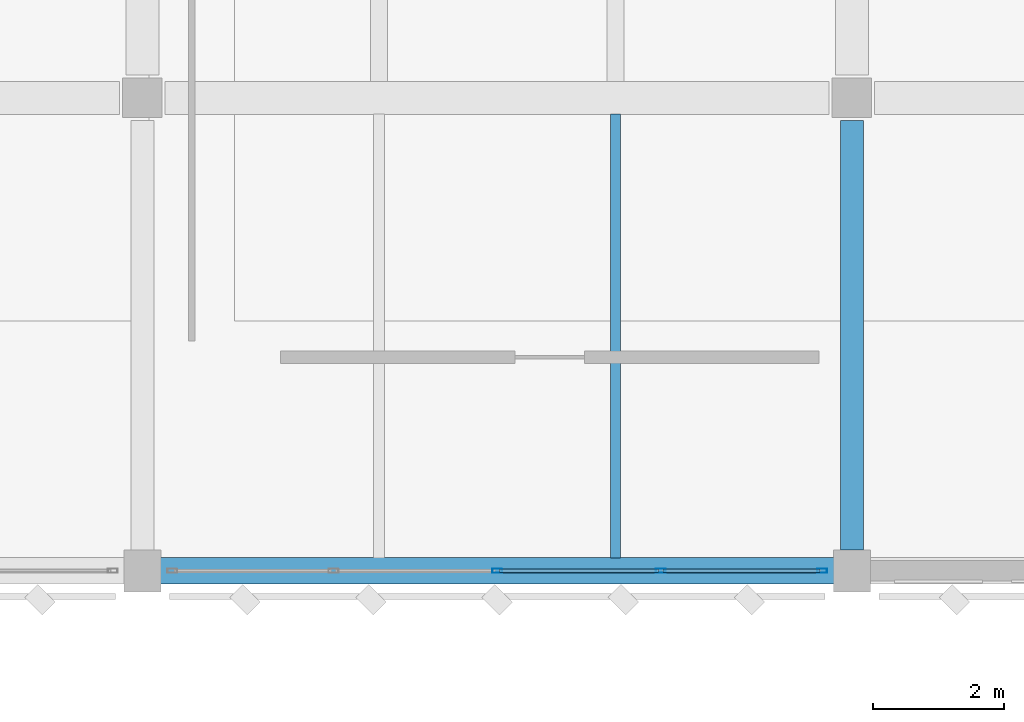
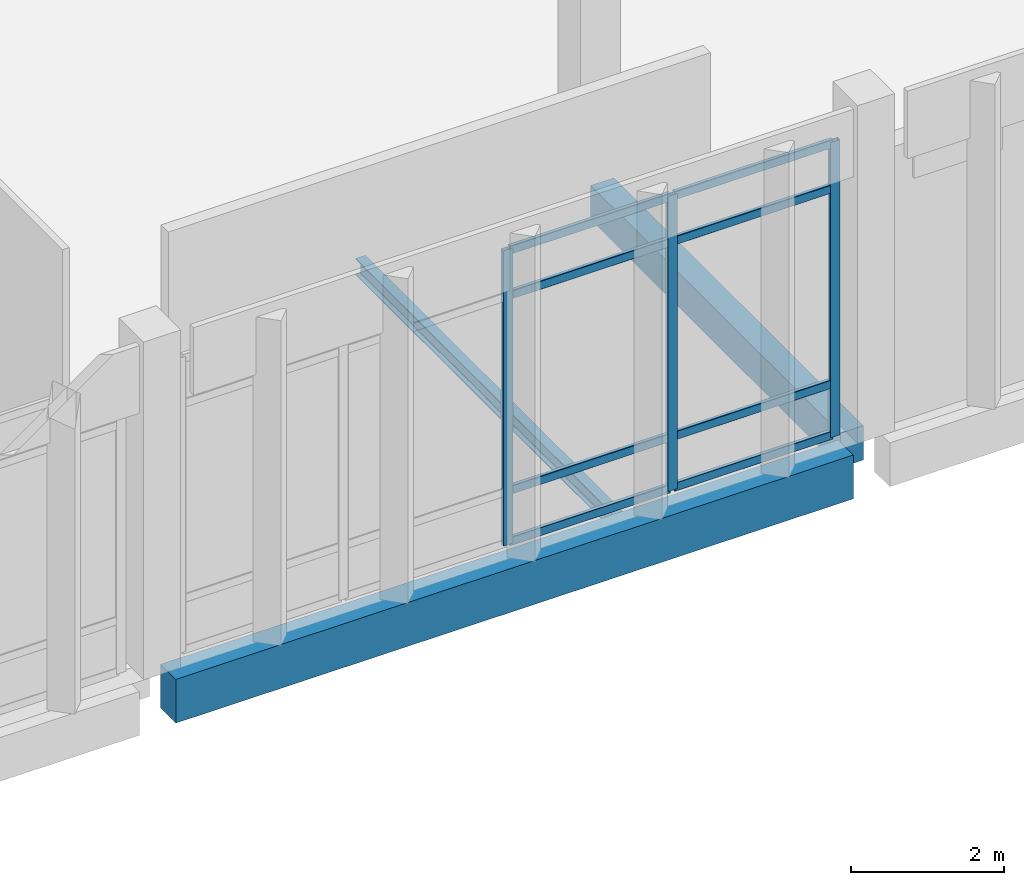
# One storey, part 72 of 180: 11 members, 3 beams, 1 element without a shape of its own.
"""IFC4 building model written with IfcOpenShell, lengths in metres."""

from ifc_helpers import new_model, si_unit, direction, frame, origin, origin_2d, place, context, subcontext, project, spatial, rectangle, hollow_rectangle, i_section, extrude, material, material_profile, profile_set, type_object, element, aggregate, save


model = new_model("IFC4")

# Units and contexts
model_context = context("Model", 3, precision=1e-05, world=origin(), true_north=direction((0.0, 1.0)))
body_context = subcontext(model_context, "Body", "Model", "MODEL_VIEW")
ifc_project = project(units=[si_unit("LENGTHUNIT", "METRE"), si_unit("AREAUNIT", "SQUARE_METRE"), si_unit("VOLUMEUNIT", "CUBIC_METRE"), si_unit("PLANEANGLEUNIT", "RADIAN"), si_unit("MASSUNIT", "GRAM", prefix="KILO")], contexts=[model_context])

# Site, building, storey
site_placement = place(None, origin())
site = spatial("IfcSite", under=ifc_project, at=site_placement, CompositionType="ELEMENT")
building_placement = place(site_placement, origin())
building = spatial("IfcBuilding", under=site, at=building_placement, Name="Lusvemor Sports Hall", CompositionType="ELEMENT")
storey_placement = place(building_placement, frame((0.0, 0.0, 5.39990234375)))
storey = spatial("IfcBuildingStorey", under=building, at=storey_placement, Name="L01", CompositionType="ELEMENT", Elevation=5.39990234375)

# Beam
ifc_material_1 = material(Name="Concrete C40/50", Category="concrete")
ifc_material_profile_1 = material_profile(ifc_material_1, rectangle(XDim=0.35009765625, YDim=0.550048828125, at=origin_2d()), Name="RC350x550")
ifc_profile_set_1 = profile_set([ifc_material_profile_1], Name="Concrete C40/50")
beam_type_1 = type_object("IfcBeamType", Name="BEAM_RC_550", PredefinedType="BEAM", material=ifc_profile_set_1)
beam_1_placement = place(storey_placement, frame((43.199951171875, 97.51611328125, -0.534912109375), z_axis=(0.0, 1.0, 0.0), x_axis=(-1.0, 0.0, 0.0)))
element("IfcBeam", 1, at=beam_1_placement, inside=storey, type_object=beam_type_1, Name="Beam L01 5:N-P", PredefinedType="BEAM", context=body_context, shape_type="SweptSolid", body=[
    extrude(rectangle(XDim=0.35009765625, YDim=0.550048828125, at=origin_2d()), origin(), (0.0, 0.0, 1.0), 6.537841796875),
])

# Curtain wall, members
ifc_material_2 = material(Name="Thermally broken bronze-anodized aluminium", Category="aluminium")
curtain_wall_type = type_object("IfcCurtainWallType", Name="CW_WING_B", PredefinedType="NOTDEFINED", material=ifc_material_2)
curtain_wall_placement = place(storey_placement, origin())
curtain_wall = element("IfcCurtainWall", 2, at=curtain_wall_placement, inside=storey, type_object=curtain_wall_type, Name="Curtain Wall CW-L01-S-3-1", PredefinedType="NOTDEFINED")
ifc_material_3 = material(Name="Thermally broken bronze-anodized aluminium", Category="aluminium")
ifc_material_profile_2 = material_profile(ifc_material_3, hollow_rectangle(XDim=0.06494140625, YDim=0.14990234375, WallThickness=0.00390625, InnerFilletRadius=0.00390625, OuterFilletRadius=0.008056640625, at=origin_2d()), Name="CWMUL150x65x4")
ifc_profile_set_2 = profile_set([ifc_material_profile_2], Name="Thermally broken bronze-anodized aluminium")
member_type_1 = type_object("IfcMemberType", Name="CW_MUL_B", PredefinedType="MULLION", material=ifc_profile_set_2)
member_1_placement = place(storey_placement, frame((42.74755859375, 97.199951171875, 0.0), z_axis=(0.0, 0.0, 1.0), x_axis=(0.0, -1.0, 0.0)))
member_1 = element("IfcMember", 3, at=member_1_placement, type_object=member_type_1, Name="CW02 mullion 1", PredefinedType="MULLION", context=body_context, shape_type="SweptSolid", body=[
    extrude(hollow_rectangle(XDim=0.06494140625, YDim=0.14990234375, WallThickness=0.00390625, InnerFilletRadius=0.00390625, OuterFilletRadius=0.008056640625, at=origin_2d()), origin(), (0.0, 0.0, 1.0), 4.72021484375),
])
member_2_placement = place(storey_placement, frame((40.2900390625, 97.199951171875, 0.0), z_axis=(0.0, 0.0, 1.0), x_axis=(0.0, -1.0, 0.0)))
member_2 = element("IfcMember", 4, at=member_2_placement, type_object=member_type_1, Name="CW02 mullion 2", PredefinedType="MULLION", context=body_context, shape_type="SweptSolid", body=[
    extrude(hollow_rectangle(XDim=0.06494140625, YDim=0.14990234375, WallThickness=0.00390625, InnerFilletRadius=0.00390625, OuterFilletRadius=0.008056640625, at=origin_2d()), origin(), (0.0, 0.0, 1.0), 4.72021484375),
])
member_3_placement = place(storey_placement, frame((37.800048828125, 97.199951171875, 0.0), z_axis=(0.0, 0.0, 1.0), x_axis=(0.0, -1.0, 0.0)))
member_3 = element("IfcMember", 5, at=member_3_placement, type_object=member_type_1, Name="CW02 mullion 3", PredefinedType="MULLION", context=body_context, shape_type="SweptSolid", body=[
    extrude(hollow_rectangle(XDim=0.06494140625, YDim=0.14990234375, WallThickness=0.00390625, InnerFilletRadius=0.00390625, OuterFilletRadius=0.008056640625, at=origin_2d()), origin(), (0.0, 0.0, 1.0), 4.72021484375),
])
ifc_material_4 = material(Name="Thermally broken bronze-anodized aluminium", Category="aluminium")
ifc_material_profile_3 = material_profile(ifc_material_4, hollow_rectangle(XDim=0.06005859375, YDim=0.135009765625, WallThickness=0.00390625, InnerFilletRadius=0.00390625, OuterFilletRadius=0.008056640625, at=origin_2d()), Name="CWTRN135x60x4")
ifc_profile_set_3 = profile_set([ifc_material_profile_3], Name="Thermally broken bronze-anodized aluminium")
member_type_2 = type_object("IfcMemberType", Name="CW_TRN_B", PredefinedType="USERDEFINED", material=ifc_profile_set_3)
member_4_placement = place(storey_placement, frame((42.715087890625, 97.199951171875, 0.030029296875), z_axis=(-1.0, 0.0, 0.0), x_axis=(0.0, -1.0, 0.0)))
member_4 = element("IfcMember", 6, at=member_4_placement, type_object=member_type_2, Name="CW02 transom 1.1", ObjectType="TRANSOM", PredefinedType="USERDEFINED", context=body_context, shape_type="SweptSolid", body=[
    extrude(hollow_rectangle(XDim=0.06005859375, YDim=0.135009765625, WallThickness=0.00390625, InnerFilletRadius=0.00390625, OuterFilletRadius=0.008056640625, at=origin_2d()), origin(), (0.0, 0.0, 1.0), 2.392578125),
])
member_5_placement = place(storey_placement, frame((42.715087890625, 97.199951171875, 0.85009765625), z_axis=(-1.0, 0.0, 0.0), x_axis=(0.0, -1.0, 0.0)))
member_5 = element("IfcMember", 7, at=member_5_placement, type_object=member_type_2, Name="CW02 transom 1.2", ObjectType="TRANSOM", PredefinedType="USERDEFINED", context=body_context, shape_type="SweptSolid", body=[
    extrude(hollow_rectangle(XDim=0.06005859375, YDim=0.135009765625, WallThickness=0.00390625, InnerFilletRadius=0.00390625, OuterFilletRadius=0.008056640625, at=origin_2d()), origin(), (0.0, 0.0, 1.0), 2.392578125),
])
member_6_placement = place(storey_placement, frame((42.715087890625, 97.199951171875, 3.97021484375), z_axis=(-1.0, 0.0, 0.0), x_axis=(0.0, -1.0, 0.0)))
member_6 = element("IfcMember", 8, at=member_6_placement, type_object=member_type_2, Name="CW02 transom 1.3", ObjectType="TRANSOM", PredefinedType="USERDEFINED", context=body_context, shape_type="SweptSolid", body=[
    extrude(hollow_rectangle(XDim=0.06005859375, YDim=0.135009765625, WallThickness=0.00390625, InnerFilletRadius=0.00390625, OuterFilletRadius=0.008056640625, at=origin_2d()), origin(), (0.0, 0.0, 1.0), 2.392578125),
])
member_7_placement = place(storey_placement, frame((42.715087890625, 97.199951171875, 4.690185546875), z_axis=(-1.0, 0.0, 0.0), x_axis=(0.0, -1.0, 0.0)))
member_7 = element("IfcMember", 9, at=member_7_placement, type_object=member_type_2, Name="CW02 transom 1.4", ObjectType="TRANSOM", PredefinedType="USERDEFINED", context=body_context, shape_type="SweptSolid", body=[
    extrude(hollow_rectangle(XDim=0.06005859375, YDim=0.135009765625, WallThickness=0.00390625, InnerFilletRadius=0.00390625, OuterFilletRadius=0.008056640625, at=origin_2d()), origin(), (0.0, 0.0, 1.0), 2.392578125),
])
member_8_placement = place(storey_placement, frame((40.257568359375, 97.199951171875, 0.030029296875), z_axis=(-1.0, 0.0, 0.0), x_axis=(0.0, -1.0, 0.0)))
member_8 = element("IfcMember", 10, at=member_8_placement, type_object=member_type_2, Name="CW02 transom 2.1", ObjectType="TRANSOM", PredefinedType="USERDEFINED", context=body_context, shape_type="SweptSolid", body=[
    extrude(hollow_rectangle(XDim=0.06005859375, YDim=0.135009765625, WallThickness=0.00390625, InnerFilletRadius=0.00390625, OuterFilletRadius=0.008056640625, at=origin_2d()), origin(), (0.0, 0.0, 1.0), 2.425048828125),
])
member_9_placement = place(storey_placement, frame((40.257568359375, 97.199951171875, 0.85009765625), z_axis=(-1.0, 0.0, 0.0), x_axis=(0.0, -1.0, 0.0)))
member_9 = element("IfcMember", 11, at=member_9_placement, type_object=member_type_2, Name="CW02 transom 2.2", ObjectType="TRANSOM", PredefinedType="USERDEFINED", context=body_context, shape_type="SweptSolid", body=[
    extrude(hollow_rectangle(XDim=0.06005859375, YDim=0.135009765625, WallThickness=0.00390625, InnerFilletRadius=0.00390625, OuterFilletRadius=0.008056640625, at=origin_2d()), origin(), (0.0, 0.0, 1.0), 2.425048828125),
])
member_10_placement = place(storey_placement, frame((40.257568359375, 97.199951171875, 3.97021484375), z_axis=(-1.0, 0.0, 0.0), x_axis=(0.0, -1.0, 0.0)))
member_10 = element("IfcMember", 12, at=member_10_placement, type_object=member_type_2, Name="CW02 transom 2.3", ObjectType="TRANSOM", PredefinedType="USERDEFINED", context=body_context, shape_type="SweptSolid", body=[
    extrude(hollow_rectangle(XDim=0.06005859375, YDim=0.135009765625, WallThickness=0.00390625, InnerFilletRadius=0.00390625, OuterFilletRadius=0.008056640625, at=origin_2d()), origin(), (0.0, 0.0, 1.0), 2.425048828125),
])
member_11_placement = place(storey_placement, frame((40.257568359375, 97.199951171875, 4.690185546875), z_axis=(-1.0, 0.0, 0.0), x_axis=(0.0, -1.0, 0.0)))
member_11 = element("IfcMember", 13, at=member_11_placement, type_object=member_type_2, Name="CW02 transom 2.4", ObjectType="TRANSOM", PredefinedType="USERDEFINED", context=body_context, shape_type="SweptSolid", body=[
    extrude(hollow_rectangle(XDim=0.06005859375, YDim=0.135009765625, WallThickness=0.00390625, InnerFilletRadius=0.00390625, OuterFilletRadius=0.008056640625, at=origin_2d()), origin(), (0.0, 0.0, 1.0), 2.425048828125),
])
aggregate(curtain_wall, [member_1, member_2, member_3, member_4, member_5, member_6, member_7, member_8, member_9, member_10, member_11])

# Beams
ifc_material_5 = material(Name="Steel S355", Category="steel")
ifc_material_profile_4 = material_profile(ifc_material_5, i_section(OverallWidth=0.14794921875, OverallDepth=0.26611328125, WebThickness=0.007568359375, FlangeThickness=0.012939453125, FilletRadius=0.012939453125, at=origin_2d()), Name="W250x44.8")
ifc_profile_set_4 = profile_set([ifc_material_profile_4], Name="Steel S355")
beam_type_2 = type_object("IfcBeamType", Name="JOIST_ST_250M", PredefinedType="JOIST", material=ifc_profile_set_4)
beam_2_placement = place(storey_placement, frame((39.60009765625, 97.39599609375, -0.39697265625), z_axis=(0.0, 1.0, 0.0), x_axis=(-1.0, 0.0, 0.0)))
element("IfcBeam", 14, at=beam_2_placement, inside=storey, type_object=beam_type_2, Name="Secondary Joist L01 4-5/N-P #2", PredefinedType="JOIST", context=body_context, shape_type="SweptSolid", body=[
    extrude(i_section(OverallWidth=0.14794921875, OverallDepth=0.26611328125, WebThickness=0.007568359375, FlangeThickness=0.012939453125, FilletRadius=0.012939453125, at=origin_2d()), origin(), (0.0, 0.0, 1.0), 6.758056640625),
])
ifc_material_6 = material(Name="Concrete C40/50", Category="concrete")
ifc_material_profile_5 = material_profile(ifc_material_6, rectangle(XDim=0.39990234375, YDim=0.699951171875, at=origin_2d()), Name="RC400x700")
ifc_profile_set_5 = profile_set([ifc_material_profile_5], Name="Concrete C40/50")
beam_type_3 = type_object("IfcBeamType", Name="SPAND_EXT_700", PredefinedType="SPANDREL", material=ifc_profile_set_5)
beam_3_placement = place(storey_placement, frame((32.676025390625, 97.199951171875, -0.60986328125), z_axis=(1.0, 0.0, 0.0), x_axis=(0.0, 1.0, 0.0)))
element("IfcBeam", 15, at=beam_3_placement, inside=storey, type_object=beam_type_3, Name="Beam L01 N:4-5", PredefinedType="SPANDREL", context=body_context, shape_type="SweptSolid", body=[
    extrude(rectangle(XDim=0.39990234375, YDim=0.699951171875, at=origin_2d()), origin(), (0.0, 0.0, 1.0), 10.248046875),
])

save(model, "model.ifc")
